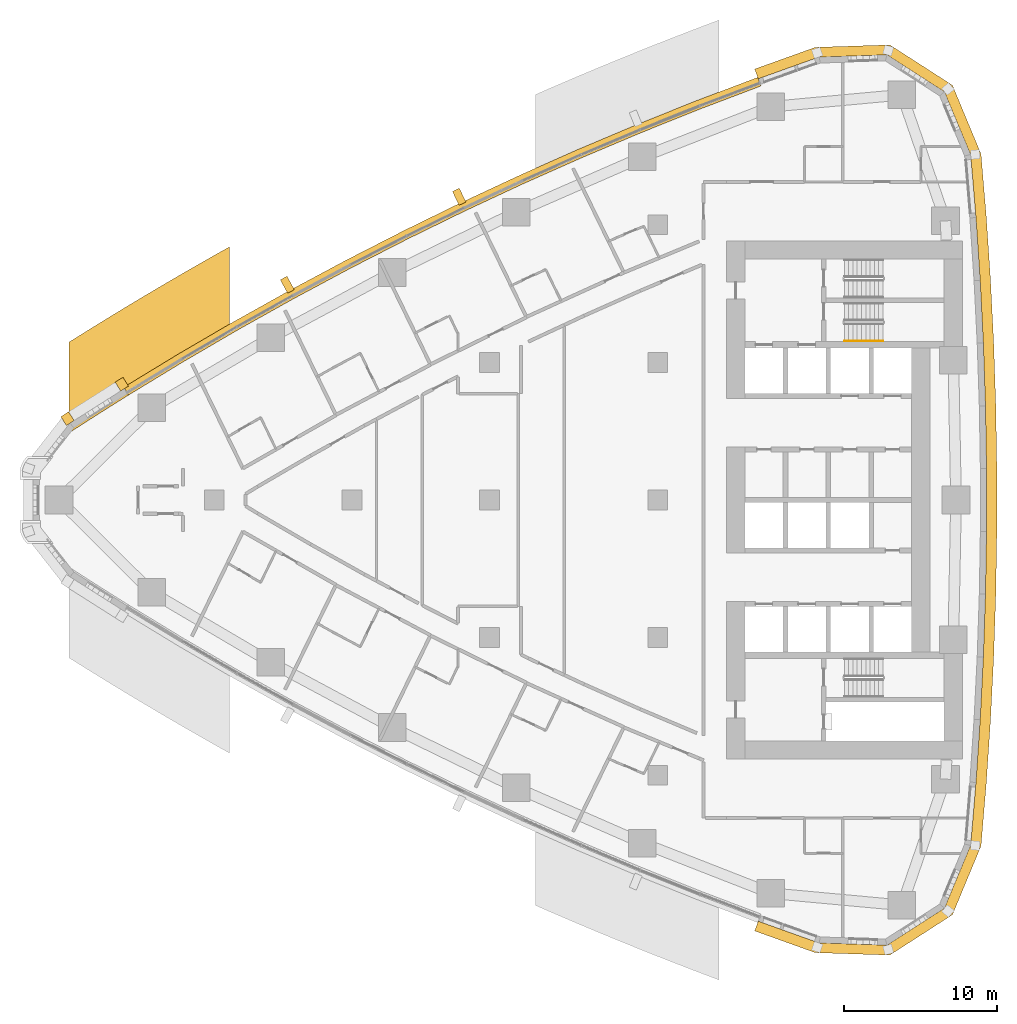
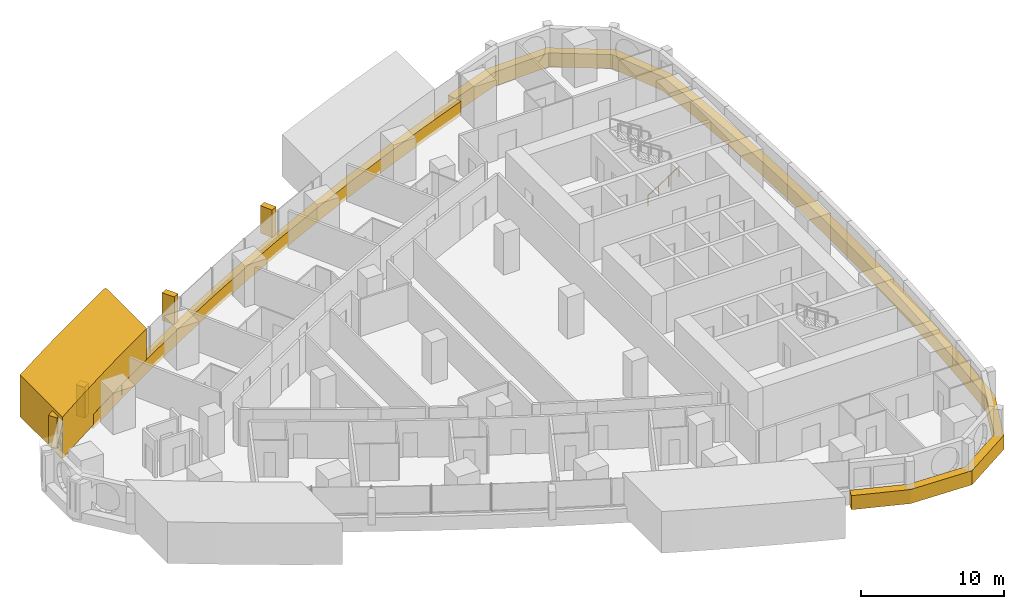
# One storey, part 17 of 19: 7 coverings, 1 railing.
"""IFC4 building model written with IfcOpenShell, lengths in metres."""

import ifcopenshell
import ifcopenshell.guid

model = None  # the IFC model being written
_history = None  # IfcOwnerHistory: only IFC2X3 demands one
_inside = {}  # id of a spatial element -> (the spatial element, [elements in it])
_under = {}  # id of a project, library or spatial element -> (it, [spatial elements below it])
_declared = {}  # id of a project -> (the project, [libraries it declares])
_typed = {}  # id of a type object -> (the type object, [elements of that type])
_made_of = {}  # id of a material, layer set ... -> (it, [elements and type objects made of it])


def new_model(schema):
    """Start an empty IFC model of exactly this schema.

    Asked for "IFC4X3", IfcOpenShell would pick the latest addendum, in which some entities
    have other attributes; the version numbers below select the first issue.
    IFC2X3 requires an IfcOwnerHistory on every rooted entity: one is made here for all.
    """
    global model, _history
    if schema == "IFC4X3":
        model = ifcopenshell.file(schema_version=(4, 3, 0, 0))
    else:
        model = ifcopenshell.file(schema=schema)
    _inside.clear()
    _under.clear()
    _declared.clear()
    _typed.clear()
    _made_of.clear()
    _history = None
    if model.schema == "IFC2X3":
        org = make("IfcOrganization", Name="unknown")
        user = make(
            "IfcPersonAndOrganization",
            ThePerson=make("IfcPerson", FamilyName="unknown"),
            TheOrganization=org,
        )
        app = make(
            "IfcApplication",
            ApplicationDeveloper=org,
            Version="unknown",
            ApplicationFullName="unknown",
            ApplicationIdentifier="unknown",
        )
        _history = make(
            "IfcOwnerHistory",
            OwningUser=user,
            OwningApplication=app,
            ChangeAction="ADDED",
            CreationDate=0,
        )
    return model


def make(cls, **values):
    """One entity of the class cls with the attributes given. An attribute that is None is left unset."""
    return model.create_entity(
        cls, **{name: value for name, value in values.items() if value is not None}
    )


def rooted(cls, **values):
    """An entity with a GlobalId (a new one), such as an element, a storey or a relation."""
    return make(cls, GlobalId=ifcopenshell.guid.new(), OwnerHistory=_history, **values)


def si_unit(unit_type, name, prefix=None):
    """IfcSIUnit, for example si_unit("LENGTHUNIT", "METRE", prefix="MILLI")."""
    return make("IfcSIUnit", UnitType=unit_type, Prefix=prefix, Name=name)


def assignment(units):
    """IfcUnitAssignment: the units of a project."""
    return None if units is None else make("IfcUnitAssignment", Units=units)


def point(xyz):
    """IfcCartesianPoint."""
    return None if xyz is None else make("IfcCartesianPoint", Coordinates=xyz)


def direction(xyz):
    """IfcDirection."""
    return None if xyz is None else make("IfcDirection", DirectionRatios=xyz)


def frame(location, z_axis=None, x_axis=None):
    """IfcAxis2Placement3D, a coordinate frame: its origin and axes. An axis left out is left unset."""
    return make(
        "IfcAxis2Placement3D",
        Location=point(location),
        Axis=direction(z_axis),
        RefDirection=direction(x_axis),
    )


def frame_2d(location, x_axis=None):
    """IfcAxis2Placement2D, a coordinate frame in the plane: its origin and x axis."""
    return make(
        "IfcAxis2Placement2D", Location=point(location), RefDirection=direction(x_axis)
    )


def origin():
    """The frame at (0, 0, 0) with its axes left unset."""
    return frame((0.0, 0.0, 0.0))


def origin_2d():
    """The frame at (0, 0) in the plane with its x axis left unset."""
    return frame_2d((0.0, 0.0))


def place(relative_to, where):
    """IfcLocalPlacement: puts the frame where relative to a parent placement (None: the world)."""
    return make(
        "IfcLocalPlacement", PlacementRelTo=relative_to, RelativePlacement=where
    )


def context(
    kind, dimensions, precision=None, world=None, true_north=None, identifier=None
):
    """IfcGeometricRepresentationContext, for example the 3D "Model" context."""
    return make(
        "IfcGeometricRepresentationContext",
        ContextIdentifier=identifier,
        ContextType=kind,
        CoordinateSpaceDimension=dimensions,
        Precision=precision,
        WorldCoordinateSystem=world,
        TrueNorth=true_north,
    )


def subcontext(parent, identifier, kind, view, scale=None):
    """IfcGeometricRepresentationSubContext, for example "Body" below "Model"."""
    return make(
        "IfcGeometricRepresentationSubContext",
        ContextIdentifier=identifier,
        ContextType=kind,
        ParentContext=parent,
        TargetScale=scale,
        TargetView=view,
    )


def project(units=None, contexts=None):
    """IfcProject with its units and contexts."""
    return rooted(
        "IfcProject",
        Name="project",
        RepresentationContexts=contexts,
        UnitsInContext=assignment(units),
    )


def spatial(cls, under=None, at=None, **own):
    """A site, building, storey or space (cls), placed at a placement, below another one or the project."""
    s = rooted(cls, ObjectPlacement=at, **own)
    if under is not None:
        _under.setdefault(under.id(), (under, []))[1].append(s)
    return s


def polyline(points):
    """IfcPolyline through the points."""
    return make("IfcPolyline", Points=[point(p) for p in points])


def profile(cls, at=None, kind="AREA", **sizes):
    """A parametric profile (cls). Its sizes go by their IFC names, for example OverallWidth=200.0."""
    return make(cls, ProfileType=kind, Position=at, **sizes)


def rectangle(**sizes):
    """IfcRectangleProfileDef."""
    return profile("IfcRectangleProfileDef", **sizes)


def circle(**sizes):
    """IfcCircleProfileDef."""
    return profile("IfcCircleProfileDef", **sizes)


def outline(outer, holes=None, kind="AREA"):
    """IfcArbitraryClosedProfileDef: a profile drawn as a closed curve; with holes, ...WithVoids."""
    if holes is None:
        return make("IfcArbitraryClosedProfileDef", ProfileType=kind, OuterCurve=outer)
    return make(
        "IfcArbitraryProfileDefWithVoids",
        ProfileType=kind,
        OuterCurve=outer,
        InnerCurves=holes,
    )


def extrude(swept, where, along, depth):
    """IfcExtrudedAreaSolid: the profile swept, set in the frame where, extruded along a direction by depth."""
    return make(
        "IfcExtrudedAreaSolid",
        SweptArea=swept,
        Position=where,
        ExtrudedDirection=direction(along),
        Depth=depth,
    )


def shape(context_of_items, identifier, shape_type, items):
    """IfcShapeRepresentation: the items that make up one representation, for example the "Body"."""
    return make(
        "IfcShapeRepresentation",
        ContextOfItems=context_of_items,
        RepresentationIdentifier=identifier,
        RepresentationType=shape_type,
        Items=items,
    )


def material(Name=None, Category=None):
    """IfcMaterial."""
    return make("IfcMaterial", Name=Name, Category=Category)


def layer(
    of_material, thickness, ventilated=None, Name=None, Category=None, Priority=None
):
    """IfcMaterialLayer: one layer of a wall or slab, of a material (None: an air gap)."""
    return make(
        "IfcMaterialLayer",
        Material=of_material,
        LayerThickness=thickness,
        IsVentilated=ventilated,
        Name=Name,
        Category=Category,
        Priority=Priority,
    )


def layer_set(layers, Name=None):
    """IfcMaterialLayerSet."""
    return make("IfcMaterialLayerSet", MaterialLayers=layers, LayerSetName=Name)


def made_of(thing, what):
    """Note that an element or type object is made of a material, layer set ...; save() writes the relation."""
    if what is not None:
        _made_of.setdefault(what.id(), (what, []))[1].append(thing)
    return thing


def type_object(cls, material=None, **own):
    """A type object (cls), such as IfcWallType, which elements share."""
    return made_of(rooted(cls, **own), material)


def element(
    cls,
    number,
    at=None,
    inside=None,
    cuts=None,
    type_object=None,
    material=None,
    context=None,
    identifier="Body",
    shape_type=None,
    held_by="IfcProductDefinitionShape",
    body=None,
    shapes=None,
    **own,
):
    """One element of the class cls, such as IfcWall. Its Tag is "e" and its number.

    at: its placement. inside: the storey or other place that contains it. cuts: it is an
    opening in that element (IfcRelVoidsElement). A single representation is given by context,
    identifier, shape_type and body (its items); several are given by shapes. held_by: the class
    of the entity that holds the representations. save() writes the other relations.
    """
    e = rooted(cls, Tag="e%d" % number, ObjectPlacement=at, **own)
    if body is not None:
        shapes = [shape(context, identifier, shape_type, body)]
    if shapes is not None:
        e.Representation = make(held_by, Representations=shapes)
    if inside is not None:
        _inside.setdefault(inside.id(), (inside, []))[1].append(e)
    if cuts is not None:
        rooted(
            "IfcRelVoidsElement", RelatingBuildingElement=cuts, RelatedOpeningElement=e
        )
    if type_object is not None:
        _typed.setdefault(type_object.id(), (type_object, []))[1].append(e)
    return made_of(e, material)


def aggregate(whole, parts):
    """IfcRelAggregates: a whole, such as a stair, and the parts it consists of."""
    return rooted("IfcRelAggregates", RelatingObject=whole, RelatedObjects=parts)


def save(model, path):
    """Write the relations noted so far, then the file.

    IfcRelAggregates (storeys below a building ...), IfcRelContainedInSpatialStructure (elements
    in a storey), IfcRelDefinesByType, IfcRelAssociatesMaterial and IfcRelDeclares: one each for
    every whole, place, type object, material and project.
    """
    for whole, parts in _under.values():
        aggregate(whole, parts)
    for where, things in _inside.values():
        rooted(
            "IfcRelContainedInSpatialStructure",
            RelatedElements=things,
            RelatingStructure=where,
        )
    for kind, things in _typed.values():
        rooted("IfcRelDefinesByType", RelatedObjects=things, RelatingType=kind)
    for what, things in _made_of.values():
        rooted("IfcRelAssociatesMaterial", RelatedObjects=things, RelatingMaterial=what)
    for by, libraries in _declared.values():
        rooted("IfcRelDeclares", RelatingContext=by, RelatedDefinitions=libraries)
    model.write(path)


model = new_model("IFC4")

# Units and contexts
model_context = context("Model", 3, precision=1e-05, world=origin(), true_north=direction((0.0, 1.0)))
body_context = subcontext(model_context, "Body", "Model", "MODEL_VIEW")
ifc_project = project(units=[si_unit("LENGTHUNIT", "METRE"), si_unit("AREAUNIT", "SQUARE_METRE"), si_unit("VOLUMEUNIT", "CUBIC_METRE"), si_unit("PLANEANGLEUNIT", "RADIAN"), si_unit("MASSUNIT", "GRAM", prefix="KILO")], contexts=[model_context])

# Site, building, storey
site_placement = place(None, origin())
site = spatial("IfcSite", under=ifc_project, at=site_placement, CompositionType="ELEMENT")
building_placement = place(site_placement, origin())
building = spatial("IfcBuilding", under=site, at=building_placement, Name="Ostrand Prow Hotel Tower", CompositionType="ELEMENT")
storey_placement = place(building_placement, frame((0.0, 0.0, 71.550048828125)))
storey = spatial("IfcBuildingStorey", under=building, at=storey_placement, Name="L16", CompositionType="ELEMENT", Elevation=71.550048828125)

# Coverings
ifc_material_1 = material(Name="Bronze anodised aluminium cladding", Category="aluminium")
ifc_layer_1 = layer(ifc_material_1, 0.60009765625)
ifc_layer_set_1 = layer_set([ifc_layer_1], Name="Bronze anodised aluminium cladding")
covering_type_1 = type_object("IfcCoveringType", Name="Bronze spandrel band 1200x600", PredefinedType="CLADDING", material=ifc_layer_set_1)
covering_1_placement = place(storey_placement, frame((0.0, 0.0, -0.300048828125)))
element("IfcCovering", 1, at=covering_1_placement, inside=storey, type_object=covering_type_1, Name="Spandrel band N1", PredefinedType="CLADDING", context=body_context, shape_type="SweptSolid", body=[
    extrude(outline(polyline([(51.5361328125, 27.6328125), (47.607666015625, 26.142578125), (43.70751953125, 24.580078125), (39.83642578125, 22.946044921875), (35.996337890625, 21.2412109375), (32.188232421875, 19.4658203125), (28.413330078125, 17.62060546875), (24.673095703125, 15.70654296875), (20.968994140625, 13.723876953125), (17.301513671875, 11.673095703125), (13.672607421875, 9.555419921875), (10.08349609375, 7.371337890625), (10.39990234375, 6.86181640625), (13.97998046875, 9.0400390625), (17.59912109375, 11.152099609375), (21.2568359375, 13.197509765625), (24.951416015625, 15.1748046875), (28.681884765625, 17.083984375), (32.44677734375, 18.92431640625), (36.244873046875, 20.695068359375), (40.074951171875, 22.3955078125), (43.935791015625, 24.025146484375), (47.82568359375, 25.58349609375), (51.743896484375, 27.070068359375), (51.5361328125, 27.6328125)])), origin(), (0.0, 0.0, 1.0), 1.199951171875),
])
covering_2_placement = place(storey_placement, frame((0.0, 0.0, -0.300048828125)))
element("IfcCovering", 2, at=covering_2_placement, inside=storey, type_object=covering_type_1, Name="Spandrel band back 1", PredefinedType="CLADDING", context=body_context, shape_type="SweptSolid", body=[
    extrude(outline(polyline([(51.335205078125, -28.177001953125), (55.300537109375, -29.5986328125), (60.16796875, -29.758056640625), (64.26318359375, -27.123046875), (66.13525390625, -22.627197265625), (66.48046875, -18.521728515625), (66.756591796875, -14.411376953125), (66.964111328125, -10.296630859375), (67.102294921875, -6.17919921875), (67.17138671875, -2.059814453125), (67.17138671875, 2.059814453125), (67.102294921875, 6.17919921875), (66.964111328125, 10.296630859375), (66.756591796875, 14.411376953125), (66.48046875, 18.521728515625), (66.13525390625, 22.627197265625), (64.26318359375, 27.123046875), (60.16796875, 29.758056640625), (55.300537109375, 29.5986328125), (51.335205078125, 28.177001953125), (51.57080078125, 27.5390625), (55.524169921875, 28.956298828125), (59.98681640625, 29.1025390625), (63.74169921875, 26.6865234375), (65.4580078125, 22.564453125), (65.802490234375, 18.470458984375), (66.077880859375, 14.371337890625), (66.28466796875, 10.26806640625), (66.422607421875, 6.162109375), (66.491455078125, 2.05419921875), (66.491455078125, -2.05419921875), (66.422607421875, -6.162109375), (66.28466796875, -10.26806640625), (66.077880859375, -14.371337890625), (65.802490234375, -18.470458984375), (65.4580078125, -22.564453125), (63.74169921875, -26.6865234375), (59.98681640625, -29.1025390625), (55.524169921875, -28.956298828125), (51.57080078125, -27.5390625), (51.335205078125, -28.177001953125)])), origin(), (0.0, 0.0, 1.0), 1.199951171875),
])
ifc_material_2 = material(Name="Limestone cladding", Category="masonry")
ifc_layer_2 = layer(ifc_material_2, 5.0)
ifc_layer_set_2 = layer_set([ifc_layer_2], Name="Limestone cladding")
covering_type_2 = type_object("IfcCoveringType", Name="Portal jamb pilaster limestone", PredefinedType="CLADDING", material=ifc_layer_set_2)
covering_3_placement = place(storey_placement, origin())
element("IfcCovering", 3, at=covering_3_placement, inside=storey, type_object=covering_type_2, Name="Portal jamb NA L16", PredefinedType="CLADDING", context=body_context, shape_type="SweptSolid", body=[
    extrude(outline(polyline([(6.5, 4.3837890625), (7.45458984375, 5.00048828125), (8.4091796875, 5.610595703125), (9.363525390625, 6.214111328125), (10.318115234375, 6.810791015625), (11.272705078125, 7.401123046875), (12.227294921875, 7.98486328125), (13.181884765625, 8.562255859375), (14.136474609375, 9.13330078125), (15.0908203125, 9.697998046875), (16.04541015625, 10.25634765625), (17.0, 10.80859375), (17.0, 16.556640625), (16.04541015625, 16.020263671875), (15.0908203125, 15.4775390625), (14.136474609375, 14.92919921875), (13.181884765625, 14.37451171875), (12.227294921875, 13.81396484375), (11.272705078125, 13.247314453125), (10.318115234375, 12.67431640625), (9.363525390625, 12.09521484375), (8.4091796875, 11.509521484375), (7.45458984375, 10.917724609375), (6.5, 10.319580078125), (6.5, 4.3837890625)])), origin(), (0.0, 0.0, 1.0), 3.550048828125),
])
ifc_material_3 = material(Name="Limestone cladding", Category="masonry")
ifc_layer_3 = layer(ifc_material_3, 0.5)
ifc_layer_set_3 = layer_set([ifc_layer_3], Name="Limestone cladding")
covering_type_3 = type_object("IfcCoveringType", Name="Precast stone fin 500x900", PredefinedType="CLADDING", material=ifc_layer_set_3)
for number, where, z_axis, x_axis, name in (
    (4, (32.231201171875, 19.37548828125, 0.89990234375), (0.0, 0.0, 1.0), (-0.430634686673, 0.902526324621, 0.0), "Stone fin N 6"),
    (5, (21.016845703125, 13.635986328125, 0.89990234375), (0.0, 0.0, 1.0), (-0.480014960696, 0.877260302025, 0.0), "Stone fin N 9"),
):
    element("IfcCovering", number, at=place(storey_placement, frame(where, z_axis=z_axis, x_axis=x_axis)), inside=storey, type_object=covering_type_3, Name=name, PredefinedType="CLADDING", context=body_context, shape_type="SweptSolid", body=[
        extrude(rectangle(XDim=1.0, YDim=0.5, at=frame_2d((0.5, 0.0))), origin(), (0.0, 0.0, 1.0), 2.35009765625),
    ])
ifc_material_4 = material(Name="Limestone cladding", Category="masonry")
ifc_layer_4 = layer(ifc_material_4, 0.60009765625)
ifc_layer_set_4 = layer_set([ifc_layer_4], Name="Limestone cladding")
covering_type_4 = type_object("IfcCoveringType", Name="Precast stone prow rib 600x600", PredefinedType="CLADDING", material=ifc_layer_set_4)
for number, where, z_axis, x_axis, name in (
    (6, (10.13623046875, 7.286376953125, 0.599853515625), (0.0, 0.0, 1.0), (-0.527738148304, 0.849407114889, 0.0), "Stone prow rib 1"),
    (7, (6.589111328125, 5.03759765625, 0.599853515625), (0.0, 0.0, 1.0), (-0.543295944087, 0.839541253983, 0.0), "Stone prow rib 2"),
):
    element("IfcCovering", number, at=place(storey_placement, frame(where, z_axis=z_axis, x_axis=x_axis)), inside=storey, type_object=covering_type_4, Name=name, PredefinedType="CLADDING", context=body_context, shape_type="SweptSolid", body=[
        extrude(rectangle(XDim=0.679931640625, YDim=0.60009765625, at=frame_2d((0.33984375, 0.0))), origin(), (0.0, 0.0, 1.0), 2.650146484375),
    ])

# Railing
ifc_material_5 = material(Name="Stainless steel", Category="steel")
railing_type = type_object("IfcRailingType", Name="Stair handrail 900", PredefinedType="HANDRAIL", material=ifc_material_5)
railing_placement = place(storey_placement, frame((57.199951171875, 10.39990234375, 0.177490234375)))
element("IfcRailing", 8, at=railing_placement, inside=storey, type_object=railing_type, Name="L16 ST1C stair handrail 1", PredefinedType="HANDRAIL", context=body_context, shape_type="SweptSolid", body=[
    extrude(circle(Radius=0.02392578125, at=origin_2d()), frame((0.0, 0.0, 0.8759765625), z_axis=(0.84460694969, 0.0, 0.535386869969), x_axis=(0.0, 1.0, 0.0)), (0.0, 0.0, 1.0), 2.983642578125),
    extrude(circle(Radius=0.02099609375, at=origin_2d()), origin(), (0.0, 0.0, 1.0), 0.851806640625),
    extrude(circle(Radius=0.02099609375, at=origin_2d()), frame((0.840087890625, 0.0, 0.532470703125)), (0.0, 0.0, 1.0), 0.851806640625),
    extrude(circle(Radius=0.02099609375, at=origin_2d()), frame((1.679931640625, 0.0, 1.06494140625)), (0.0, 0.0, 1.0), 0.851806640625),
    extrude(circle(Radius=0.02099609375, at=origin_2d()), frame((2.52001953125, 0.0, 1.597412109375)), (0.0, 0.0, 1.0), 0.851806640625),
])

save(model, "model.ifc")
